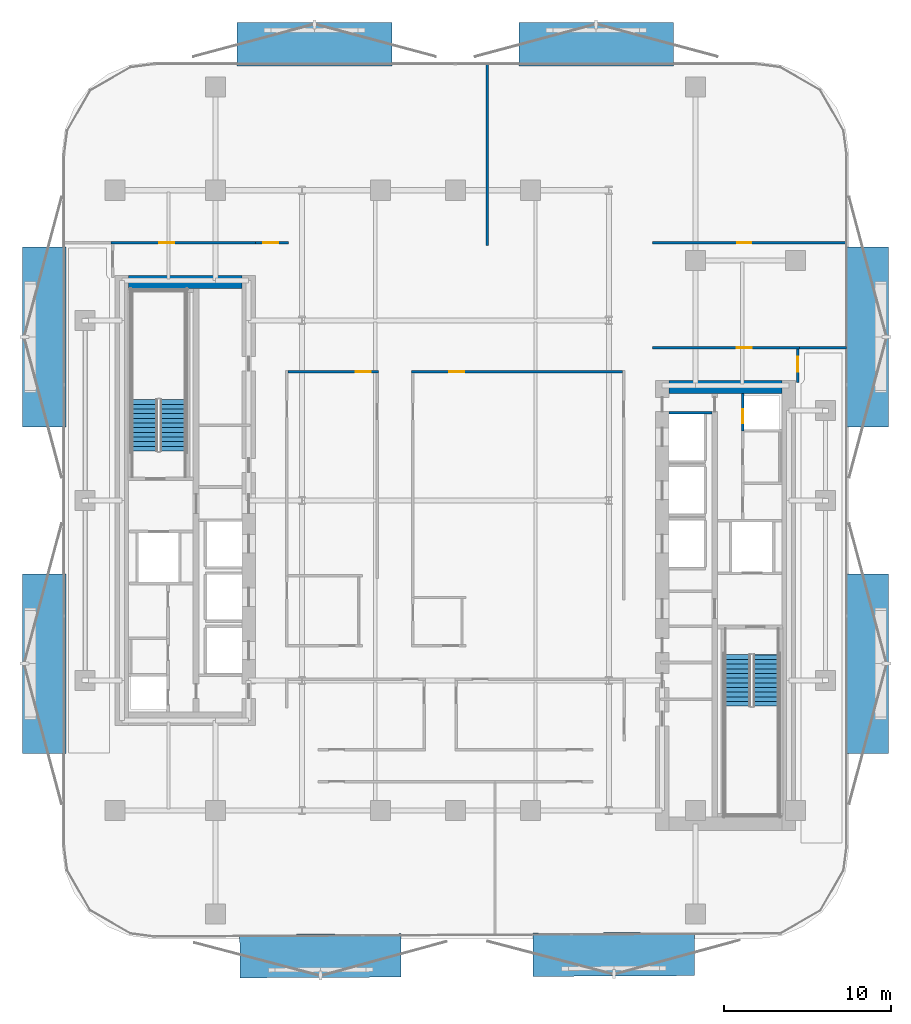
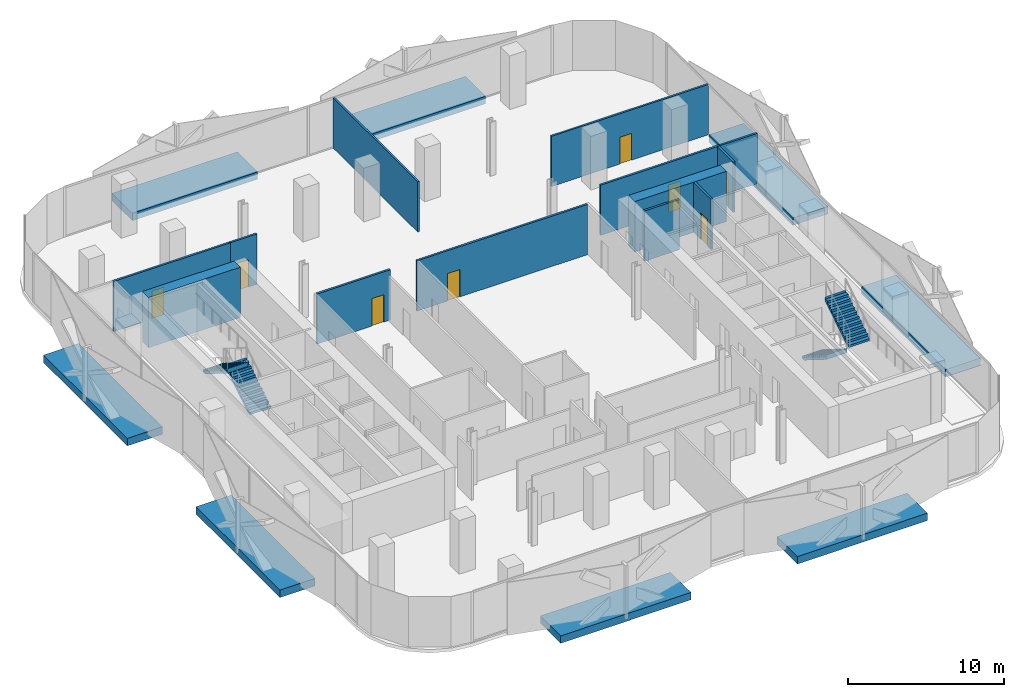
# One storey, part 6 of 16: 13 walls, 8 discrete accessories, 8 doors, 4 stair flights, 8 openings, 2 elements without a shape of their own.
"""IFC4 building model written with IfcOpenShell, lengths in metres."""

from ifc_helpers import new_model, si_unit, direction, frame, frame_2d, origin, origin_2d, place, context, subcontext, project, spatial, polyline, rectangle, outline, extrude, material, layer, layer_set, type_object, element, fill, aggregate, save


model = new_model("IFC4")

# Units and contexts
model_context = context("Model", 3, precision=1e-05, world=origin(), true_north=direction((0.0, 1.0)))
body_context = subcontext(model_context, "Body", "Model", "MODEL_VIEW")
ifc_project = project(units=[si_unit("LENGTHUNIT", "METRE"), si_unit("AREAUNIT", "SQUARE_METRE"), si_unit("VOLUMEUNIT", "CUBIC_METRE"), si_unit("PLANEANGLEUNIT", "RADIAN"), si_unit("MASSUNIT", "GRAM", prefix="KILO")], contexts=[model_context])

# Site, building, storey
site_placement = place(None, origin())
site = spatial("IfcSite", under=ifc_project, at=site_placement, CompositionType="ELEMENT")
building_placement = place(site_placement, origin())
building = spatial("IfcBuilding", under=site, at=building_placement, Name="Khairoan Windgate Tower", CompositionType="ELEMENT")
storey_placement = place(building_placement, frame((0.0, 0.0, 97.39990234375)))
storey = spatial("IfcBuildingStorey", under=building, at=storey_placement, Name="L22", CompositionType="ELEMENT", Elevation=97.39990234375)

# Walls
ifc_material_1 = material(Name="Concrete C40/50", Category="concrete")
ifc_layer_1 = layer(ifc_material_1, 0.159912109375, Name="Concrete C40/50")
ifc_layer_set_1 = layer_set([ifc_layer_1], Name="Concrete C40/50")
wall_type_1 = type_object("IfcWallType", Name="Core and Hoistway Enclosure Wall", PredefinedType="STANDARD", material=ifc_layer_set_1)
wall_1_placement = place(storey_placement, frame((12.800048828125, 5.25, 0.0), z_axis=(0.0, 0.0, 1.0), x_axis=(1.0, 0.0, 0.0)))
element("IfcWall", 1, at=wall_1_placement, inside=storey, type_object=wall_type_1, Name="L22 Core Shaft Wall SW-ESV-L22", PredefinedType="STANDARD", context=body_context, shape_type="SweptSolid", body=[
    extrude(rectangle(XDim=2.599853515625, YDim=0.159912109375, at=frame_2d((1.2998046875, 0.0))), origin(), (0.0, 0.0, 1.0), 3.940185546875),
])
ifc_material_2 = material(Name="Acoustic Fire-Rated Gypsum Partition", Category="gypsum")
ifc_layer_2 = layer(ifc_material_2, 0.139892578125, Name="Acoustic Fire-Rated Gypsum Partition")
ifc_layer_set_2 = layer_set([ifc_layer_2], Name="Acoustic Fire-Rated Gypsum Partition")
wall_type_2 = type_object("IfcWallType", Name="Inter-Tenancy Compartment Wall", PredefinedType="PARTITIONING", material=ifc_layer_set_2)
wall_2_placement = place(storey_placement, frame((20.639892578125, 9.159912109375, 0.0), z_axis=(0.0, 0.0, 1.0), x_axis=(1.0, 0.0, 0.0)))
element("IfcWall", 2, at=wall_2_placement, inside=storey, type_object=wall_type_2, Name="L22 Interior Partition 040", PredefinedType="PARTITIONING", context=body_context, shape_type="SweptSolid", body=[
    extrude(rectangle(XDim=2.815185546875, YDim=0.139892578125, at=frame_2d((1.40771484375, 0.0))), origin(), (0.0, 0.0, 1.0), 3.940185546875),
])

# Wall, opening, door
wall_3_placement = place(storey_placement, frame((11.81005859375, 15.4599609375, 0.0), z_axis=(0.0, 0.0, 1.0), x_axis=(1.0, 0.0, 0.0)))
wall_3 = element("IfcWall", 3, at=wall_3_placement, inside=storey, type_object=wall_type_2, Name="L22 Interior Partition 041", PredefinedType="PARTITIONING", context=body_context, shape_type="SweptSolid", body=[
    extrude(rectangle(XDim=11.64501953125, YDim=0.139892578125, at=frame_2d((5.822509765625, 0.0))), origin(), (0.0, 0.0, 1.0), 3.940185546875),
])
opening_1_placement = place(wall_3_placement, frame((5.09521484375, 0.0, 0.0)))
opening_1 = element("IfcOpeningElement", 4, at=opening_1_placement, cuts=wall_3, Name="Opening FD-SRV", PredefinedType="OPENING", context=body_context, shape_type="SweptSolid", body=[
    extrude(rectangle(XDim=0.85009765625, YDim=2.10009765625, at=frame_2d((0.425048828125, 1.050048828125))), frame((0.0, 0.079833984375, 0.0), z_axis=(0.0, -1.0, 0.0), x_axis=(1.0, 0.0, 0.0)), (0.0, 0.0, 1.0), 0.159912109375),
])
ifc_material_3 = material(Name="Steel S355", Category="steel")
door_type_1 = type_object("IfcDoorType", Name="Core Service and Riser Fire Door FD-SRV 850x2100", OperationType="NOTDEFINED", PredefinedType="DOOR", material=ifc_material_3)
door_1_placement = place(opening_1_placement, origin())
door_1 = element("IfcDoor", 5, at=door_1_placement, inside=storey, type_object=door_type_1, Name="L22 L22-41-L22-43 Door", OperationType="SINGLE_SWING_LEFT", OverallHeight=2.10009765625, OverallWidth=0.85009765625, PredefinedType="DOOR", context=body_context, shape_type="SweptSolid", body=[
    extrude(rectangle(XDim=0.85009765625, YDim=2.10009765625, at=frame_2d((0.425048828125, 1.050048828125))), frame((0.0, 0.02490234375, 0.0), z_axis=(0.0, -1.0, 0.0), x_axis=(1.0, 0.0, 0.0)), (0.0, 0.0, 1.0), 0.050048828125),
])
fill(opening_1, door_1)

# Wall
wall_4_placement = place(storey_placement, frame((1.904052734375, 15.280029296875, 0.0), z_axis=(0.0, 0.0, 1.0), x_axis=(0.0, 1.0, 0.0)))
element("IfcWall", 6, at=wall_4_placement, inside=storey, type_object=wall_type_2, Name="L22 Interior Partition 042", PredefinedType="PARTITIONING", context=body_context, shape_type="SweptSolid", body=[
    extrude(rectangle(XDim=10.875, YDim=0.139892578125, at=frame_2d((5.4375, 0.0))), origin(), (0.0, 0.0, 1.0), 3.940185546875),
])

# Wall, opening, door
ifc_material_4 = material(Name="Concrete C40/50", Category="concrete")
ifc_layer_3 = layer(ifc_material_4, 0.159912109375, Name="Concrete C40/50")
ifc_layer_set_3 = layer_set([ifc_layer_3], Name="Concrete C40/50")
wall_type_3 = type_object("IfcWallType", Name="Plant and Refuge Compartment Wall", PredefinedType="PARTITIONING", material=ifc_layer_set_3)
wall_5_placement = place(storey_placement, frame((17.22998046875, 4.169921875, 0.0), z_axis=(0.0, 0.0, 1.0), x_axis=(0.0, 1.0, 0.0)))
wall_5 = element("IfcWall", 7, at=wall_5_placement, inside=storey, type_object=wall_type_3, Name="L22 Interior Partition 007", PredefinedType="PARTITIONING", context=body_context, shape_type="SweptSolid", body=[
    extrude(rectangle(XDim=2.22998046875, YDim=0.159912109375, at=frame_2d((1.114990234375, 0.0))), origin(), (0.0, 0.0, 1.0), 3.940185546875),
])
opening_2_placement = place(wall_5_placement, frame((0.4599609375, 0.0, 0.0)))
opening_2 = element("IfcOpeningElement", 8, at=opening_2_placement, cuts=wall_5, Name="Opening FD-SRV", PredefinedType="OPENING", context=body_context, shape_type="SweptSolid", body=[
    extrude(rectangle(XDim=0.85009765625, YDim=2.10009765625, at=frame_2d((0.425048828125, 1.050048828125))), frame((0.0, 0.08984375, 0.0), z_axis=(0.0, -1.0, 0.0), x_axis=(1.0, 0.0, 0.0)), (0.0, 0.0, 1.0), 0.179931640625),
])
door_2_placement = place(opening_2_placement, origin())
door_2 = element("IfcDoor", 9, at=door_2_placement, inside=storey, type_object=door_type_1, Name="L22 L22-18-L22-19 Door", OperationType="SINGLE_SWING_LEFT", OverallHeight=2.10009765625, OverallWidth=0.85009765625, PredefinedType="DOOR", context=body_context, shape_type="SweptSolid", body=[
    extrude(rectangle(XDim=0.85009765625, YDim=2.10009765625, at=frame_2d((0.425048828125, 1.050048828125))), frame((0.0, 0.02490234375, 0.0), z_axis=(0.0, -1.0, 0.0), x_axis=(1.0, 0.0, 0.0)), (0.0, 0.0, 1.0), 0.050048828125),
])
fill(opening_2, door_2)

ifc_material_5 = material(Name="Acoustic Fire-Rated Gypsum Partition", Category="gypsum")
ifc_layer_4 = layer(ifc_material_5, 0.14990234375, Name="Acoustic Fire-Rated Gypsum Partition")
ifc_layer_set_4 = layer_set([ifc_layer_4], Name="Acoustic Fire-Rated Gypsum Partition")
wall_type_4 = type_object("IfcWallType", Name="Rated Corridor Partition Wall", PredefinedType="PARTITIONING", material=ifc_layer_set_4)
wall_6_placement = place(storey_placement, frame((-11.989990234375, 15.4599609375, 0.0), z_axis=(0.0, 0.0, 1.0), x_axis=(1.0, 0.0, 0.0)))
wall_6 = element("IfcWall", 10, at=wall_6_placement, inside=storey, type_object=wall_type_4, Name="L22 Interior Partition 014", PredefinedType="PARTITIONING", context=body_context, shape_type="SweptSolid", body=[
    extrude(rectangle(XDim=1.97998046875, YDim=0.14990234375, at=frame_2d((0.989990234375, 0.0))), origin(), (0.0, 0.0, 1.0), 3.940185546875),
])
opening_3_placement = place(wall_6_placement, frame((0.4599609375, 0.0, 0.0)))
opening_3 = element("IfcOpeningElement", 11, at=opening_3_placement, cuts=wall_6, Name="Opening FD-ENT", PredefinedType="OPENING", context=body_context, shape_type="SweptSolid", body=[
    extrude(rectangle(XDim=0.89990234375, YDim=2.14990234375, at=frame_2d((0.449951171875, 1.074951171875))), frame((0.0, 0.0849609375, 0.0), z_axis=(0.0, -1.0, 0.0), x_axis=(1.0, 0.0, 0.0)), (0.0, 0.0, 1.0), 0.169921875),
])
ifc_material_6 = material(Name="Timber Fire-Rated Core", Category="wood")
door_type_2 = type_object("IfcDoorType", Name="Unit and Office Fire Entrance Door FD-ENT 900x2150", OperationType="NOTDEFINED", PredefinedType="DOOR", material=ifc_material_6)
door_3_placement = place(opening_3_placement, origin())
door_3 = element("IfcDoor", 12, at=door_3_placement, inside=storey, type_object=door_type_2, Name="L22 L22-30-L22-42 Door", OperationType="SINGLE_SWING_RIGHT", OverallHeight=2.14990234375, OverallWidth=0.89990234375, PredefinedType="DOOR", context=body_context, shape_type="SweptSolid", body=[
    extrude(rectangle(XDim=0.89990234375, YDim=2.14990234375, at=frame_2d((0.449951171875, 1.074951171875))), frame((0.0, 0.02490234375, 0.0), z_axis=(0.0, -1.0, 0.0), x_axis=(1.0, 0.0, 0.0)), (0.0, 0.0, 1.0), 0.050048828125),
])
fill(opening_3, door_3)

wall_7_placement = place(storey_placement, frame((-2.6201171875, 7.719970703125, 0.0), z_axis=(0.0, 0.0, 1.0), x_axis=(1.0, 0.0, 0.0)))
wall_7 = element("IfcWall", 13, at=wall_7_placement, inside=storey, type_object=wall_type_4, Name="L22 Interior Partition 020", PredefinedType="PARTITIONING", context=body_context, shape_type="SweptSolid", body=[
    extrude(rectangle(XDim=12.64501953125, YDim=0.14990234375, at=frame_2d((6.322509765625, 0.0))), origin(), (0.0, 0.0, 1.0), 3.940185546875),
])
opening_4_placement = place(wall_7_placement, frame((2.26416015625, 0.0, 0.0)))
opening_4 = element("IfcOpeningElement", 14, at=opening_4_placement, cuts=wall_7, Name="Opening FD-ENT", PredefinedType="OPENING", context=body_context, shape_type="SweptSolid", body=[
    extrude(rectangle(XDim=0.89990234375, YDim=2.14990234375, at=frame_2d((0.449951171875, 1.074951171875))), frame((0.0, 0.0849609375, 0.0), z_axis=(0.0, -1.0, 0.0), x_axis=(1.0, 0.0, 0.0)), (0.0, 0.0, 1.0), 0.169921875),
])
door_4_placement = place(opening_4_placement, origin())
door_4 = element("IfcDoor", 15, at=door_4_placement, inside=storey, type_object=door_type_2, Name="L22 L22-32-L22-47 Door", OperationType="SINGLE_SWING_RIGHT", OverallHeight=2.14990234375, OverallWidth=0.89990234375, PredefinedType="DOOR", context=body_context, shape_type="SweptSolid", body=[
    extrude(rectangle(XDim=0.89990234375, YDim=2.14990234375, at=frame_2d((0.449951171875, 1.074951171875))), frame((0.0, 0.02490234375, 0.0), z_axis=(0.0, -1.0, 0.0), x_axis=(1.0, 0.0, 0.0)), (0.0, 0.0, 1.0), 0.050048828125),
])
fill(opening_4, door_4)

wall_8_placement = place(storey_placement, frame((-10.02490234375, 7.719970703125, 0.0), z_axis=(0.0, 0.0, 1.0), x_axis=(1.0, 0.0, 0.0)))
wall_8 = element("IfcWall", 16, at=wall_8_placement, inside=storey, type_object=wall_type_4, Name="L22 Interior Partition 021", PredefinedType="PARTITIONING", context=body_context, shape_type="SweptSolid", body=[
    extrude(rectangle(XDim=5.419921875, YDim=0.14990234375, at=frame_2d((2.7099609375, 0.0))), origin(), (0.0, 0.0, 1.0), 3.940185546875),
])
opening_5_placement = place(wall_8_placement, frame((4.06005859375, 0.0, 0.0)))
opening_5 = element("IfcOpeningElement", 17, at=opening_5_placement, cuts=wall_8, Name="Opening FD-ENT", PredefinedType="OPENING", context=body_context, shape_type="SweptSolid", body=[
    extrude(rectangle(XDim=0.89990234375, YDim=2.14990234375, at=frame_2d((0.449951171875, 1.074951171875))), frame((0.0, 0.0849609375, 0.0), z_axis=(0.0, -1.0, 0.0), x_axis=(1.0, 0.0, 0.0)), (0.0, 0.0, 1.0), 0.169921875),
])
door_5_placement = place(opening_5_placement, origin())
door_5 = element("IfcDoor", 18, at=door_5_placement, inside=storey, type_object=door_type_2, Name="L22 L22-32-L22-49 Door", OperationType="SINGLE_SWING_LEFT", OverallHeight=2.14990234375, OverallWidth=0.89990234375, PredefinedType="DOOR", context=body_context, shape_type="SweptSolid", body=[
    extrude(rectangle(XDim=0.89990234375, YDim=2.14990234375, at=frame_2d((0.449951171875, 1.074951171875))), frame((0.0, 0.02490234375, 0.0), z_axis=(0.0, -1.0, 0.0), x_axis=(1.0, 0.0, 0.0)), (0.0, 0.0, 1.0), 0.050048828125),
])
fill(opening_5, door_5)

wall_9_placement = place(storey_placement, frame((-20.639892578125, 15.4599609375, 0.0), z_axis=(0.0, 0.0, 1.0), x_axis=(1.0, 0.0, 0.0)))
wall_9 = element("IfcWall", 19, at=wall_9_placement, inside=storey, type_object=wall_type_4, Name="L22 Interior Partition 030", PredefinedType="PARTITIONING", context=body_context, shape_type="SweptSolid", body=[
    extrude(rectangle(XDim=8.64990234375, YDim=0.14990234375, at=frame_2d((4.324951171875, 0.0))), origin(), (0.0, 0.0, 1.0), 3.940185546875),
])
opening_6_placement = place(wall_9_placement, frame((2.87060546875, 0.0, 0.0)))
opening_6 = element("IfcOpeningElement", 20, at=opening_6_placement, cuts=wall_9, Name="Opening FD-ENT", PredefinedType="OPENING", context=body_context, shape_type="SweptSolid", body=[
    extrude(rectangle(XDim=0.89990234375, YDim=2.14990234375, at=frame_2d((0.449951171875, 1.074951171875))), frame((0.0, 0.0849609375, 0.0), z_axis=(0.0, -1.0, 0.0), x_axis=(1.0, 0.0, 0.0)), (0.0, 0.0, 1.0), 0.169921875),
])
door_6_placement = place(opening_6_placement, origin())
door_6 = element("IfcDoor", 21, at=door_6_placement, inside=storey, type_object=door_type_2, Name="L22 L22-35-L22-42 Door", OperationType="SINGLE_SWING_RIGHT", OverallHeight=2.14990234375, OverallWidth=0.89990234375, PredefinedType="DOOR", context=body_context, shape_type="SweptSolid", body=[
    extrude(rectangle(XDim=0.89990234375, YDim=2.14990234375, at=frame_2d((0.449951171875, 1.074951171875))), frame((0.0, 0.02490234375, 0.0), z_axis=(0.0, -1.0, 0.0), x_axis=(1.0, 0.0, 0.0)), (0.0, 0.0, 1.0), 0.050048828125),
])
fill(opening_6, door_6)

wall_10_placement = place(storey_placement, frame((20.5400390625, 7.06005859375, 0.0), z_axis=(0.0, 0.0, 1.0), x_axis=(0.0, 1.0, 0.0)))
wall_10 = element("IfcWall", 22, at=wall_10_placement, inside=storey, type_object=wall_type_4, Name="L22 Interior Partition 031", PredefinedType="PARTITIONING", context=body_context, shape_type="SweptSolid", body=[
    extrude(rectangle(XDim=2.02490234375, YDim=0.14990234375, at=frame_2d((1.012451171875, 0.0))), origin(), (0.0, 0.0, 1.0), 3.940185546875),
])
opening_7_placement = place(wall_10_placement, frame((0.6650390625, 0.0, 0.0)))
opening_7 = element("IfcOpeningElement", 23, at=opening_7_placement, cuts=wall_10, Name="Opening FD-ENT", PredefinedType="OPENING", context=body_context, shape_type="SweptSolid", body=[
    extrude(rectangle(XDim=0.89990234375, YDim=2.14990234375, at=frame_2d((0.449951171875, 1.074951171875))), frame((0.0, 0.0849609375, 0.0), z_axis=(0.0, -1.0, 0.0), x_axis=(1.0, 0.0, 0.0)), (0.0, 0.0, 1.0), 0.169921875),
])
door_7_placement = place(opening_7_placement, origin())
door_7 = element("IfcDoor", 24, at=door_7_placement, inside=storey, type_object=door_type_2, Name="L22 L22-36-L22-40 Door", OperationType="SINGLE_SWING_LEFT", OverallHeight=2.14990234375, OverallWidth=0.89990234375, PredefinedType="DOOR", context=body_context, shape_type="SweptSolid", body=[
    extrude(rectangle(XDim=0.89990234375, YDim=2.14990234375, at=frame_2d((0.449951171875, 1.074951171875))), frame((0.0, 0.02490234375, 0.0), z_axis=(0.0, -1.0, 0.0), x_axis=(1.0, 0.0, 0.0)), (0.0, 0.0, 1.0), 0.050048828125),
])
fill(opening_7, door_7)

wall_11_placement = place(storey_placement, frame((11.81005859375, 9.159912109375, 0.0), z_axis=(0.0, 0.0, 1.0), x_axis=(1.0, 0.0, 0.0)))
wall_11 = element("IfcWall", 25, at=wall_11_placement, inside=storey, type_object=wall_type_4, Name="L22 Interior Partition 032", PredefinedType="PARTITIONING", context=body_context, shape_type="SweptSolid", body=[
    extrude(rectangle(XDim=8.829833984375, YDim=0.14990234375, at=frame_2d((4.4150390625, 0.0))), origin(), (0.0, 0.0, 1.0), 3.940185546875),
])
opening_8_placement = place(wall_11_placement, frame((5.066650390625, 0.0, 0.0)))
opening_8 = element("IfcOpeningElement", 26, at=opening_8_placement, cuts=wall_11, Name="Opening FD-ENT", PredefinedType="OPENING", context=body_context, shape_type="SweptSolid", body=[
    extrude(rectangle(XDim=0.89990234375, YDim=2.14990234375, at=frame_2d((0.449951171875, 1.074951171875))), frame((0.0, 0.0849609375, 0.0), z_axis=(0.0, -1.0, 0.0), x_axis=(1.0, 0.0, 0.0)), (0.0, 0.0, 1.0), 0.169921875),
])
door_8_placement = place(opening_8_placement, origin())
door_8 = element("IfcDoor", 27, at=door_8_placement, inside=storey, type_object=door_type_2, Name="L22 L22-36-L22-41 Door", OperationType="SINGLE_SWING_RIGHT", OverallHeight=2.14990234375, OverallWidth=0.89990234375, PredefinedType="DOOR", context=body_context, shape_type="SweptSolid", body=[
    extrude(rectangle(XDim=0.89990234375, YDim=2.14990234375, at=frame_2d((0.449951171875, 1.074951171875))), frame((0.0, 0.02490234375, 0.0), z_axis=(0.0, -1.0, 0.0), x_axis=(1.0, 0.0, 0.0)), (0.0, 0.0, 1.0), 0.050048828125),
])
fill(opening_8, door_8)

# Walls
ifc_material_7 = material(Name="Concrete C70/85", Category="concrete")
ifc_layer_5 = layer(ifc_material_7, 0.800048828125, Name="Concrete C70/85")
ifc_layer_set_5 = layer_set([ifc_layer_5], Name="Concrete C70/85")
wall_type_5 = type_object("IfcWallType", Name="Shear Wall CW-E1 800mm", PredefinedType="SHEAR", material=ifc_layer_set_5)
wall_12_placement = place(storey_placement, frame((12.800048828125, 6.800048828125, 0.0), z_axis=(0.0, 0.0, 1.0), x_axis=(1.0, 0.0, 0.0)))
element("IfcWall", 28, at=wall_12_placement, inside=storey, type_object=wall_type_5, Name="E Core North Shear Wall L22", PredefinedType="SHEAR", context=body_context, shape_type="SweptSolid", body=[
    extrude(rectangle(XDim=6.800048828125, YDim=0.800048828125, at=frame_2d((3.39990234375, 0.0))), origin(), (0.0, 0.0, 1.0), 3.940185546875),
])
ifc_material_8 = material(Name="Concrete C70/85", Category="concrete")
ifc_layer_6 = layer(ifc_material_8, 0.800048828125, Name="Concrete C70/85")
ifc_layer_set_6 = layer_set([ifc_layer_6], Name="Concrete C70/85")
wall_type_6 = type_object("IfcWallType", Name="Shear Wall CW-W1 800mm", PredefinedType="SHEAR", material=ifc_layer_set_6)
wall_13_placement = place(storey_placement, frame((-19.60009765625, 13.10009765625, 0.0), z_axis=(0.0, 0.0, 1.0), x_axis=(1.0, 0.0, 0.0)))
element("IfcWall", 29, at=wall_13_placement, inside=storey, type_object=wall_type_6, Name="W Core North Shear Wall L22", PredefinedType="SHEAR", context=body_context, shape_type="SweptSolid", body=[
    extrude(rectangle(XDim=6.800048828125, YDim=0.800048828125, at=frame_2d((3.39990234375, 0.0))), origin(), (0.0, 0.0, 1.0), 3.940185546875),
])

# Stair, stair flights
ifc_material_9 = material(Name="Concrete C40/50", Category="concrete")
stair_type = type_object("IfcStairType", Name="Tower Core Dog-Leg Stair ST-T1 1560mm", PredefinedType="HALF_TURN_STAIR", material=ifc_material_9)
stair_1_placement = place(storey_placement, origin())
stair_1 = element("IfcStair", 30, at=stair_1_placement, inside=storey, type_object=stair_type, Name="L22 Stair ST1", PredefinedType="HALF_TURN_STAIR")
ifc_material_10 = material(Name="Concrete C40/50", Category="concrete")
ifc_layer_7 = layer(ifc_material_10, 0.14990234375, Name="Concrete C40/50")
ifc_layer_set_7 = layer_set([ifc_layer_7], Name="Concrete C40/50")
stair_flight_type = type_object("IfcStairFlightType", Name="Tower Core Stair Flight STF-1560", PredefinedType="STRAIGHT", material=ifc_layer_set_7)
stair_flight_1_placement = place(storey_placement, frame((16.929931640625, -9.260009765625, 0.0), z_axis=(0.0, 0.0, 1.0), x_axis=(0.0, -1.0, 0.0)))
stair_flight_1 = element("IfcStairFlight", 31, at=stair_flight_1_placement, type_object=stair_flight_type, Name="ST1 flight 1", NumberOfRisers=12, NumberOfTreads=11, PredefinedType="STRAIGHT", RiserHeight=0.175, TreadLength=0.28, context=body_context, shape_type="SweptSolid", body=[
    extrude(outline(polyline([(-0.00390625, 0.0), (-0.00390625, 0.175048828125), (0.0, 0.175048828125), (0.280029296875, 0.175048828125), (0.280029296875, 0.35009765625), (0.56005859375, 0.35009765625), (0.56005859375, 0.52490234375), (0.840087890625, 0.52490234375), (0.840087890625, 0.699951171875), (1.1201171875, 0.699951171875), (1.1201171875, 0.875), (1.39990234375, 0.875), (1.39990234375, 1.050048828125), (1.679931640625, 1.050048828125), (1.679931640625, 1.22509765625), (1.9599609375, 1.22509765625), (1.9599609375, 1.39990234375), (2.239990234375, 1.39990234375), (2.239990234375, 1.574951171875), (2.52001953125, 1.574951171875), (2.52001953125, 1.75), (2.800048828125, 1.75), (2.800048828125, 1.925048828125), (3.080078125, 1.925048828125), (3.080078125, 2.10009765625), (3.083984375, 2.10009765625), (3.083984375, 1.748291015625), (0.28271484375, 0.0), (-0.00390625, 0.0)])), frame((0.0, 0.780029296875, 0.0), z_axis=(0.0, -1.0, 0.0), x_axis=(1.0, 0.0, 0.0)), (0.0, 0.0, 1.0), 1.56005859375),
])
stair_flight_2_placement = place(storey_placement, frame((18.639892578125, -12.340087890625, 2.10009765625), z_axis=(0.0, 0.0, 1.0), x_axis=(0.0, 1.0, 0.0)))
stair_flight_2 = element("IfcStairFlight", 32, at=stair_flight_2_placement, type_object=stair_flight_type, Name="ST1 flight 2", NumberOfRisers=12, NumberOfTreads=11, PredefinedType="STRAIGHT", RiserHeight=0.175, TreadLength=0.28, context=body_context, shape_type="SweptSolid", body=[
    extrude(outline(polyline([(-0.00390625, 0.0), (-0.00390625, 0.175048828125), (0.0, 0.175048828125), (0.280029296875, 0.175048828125), (0.280029296875, 0.35009765625), (0.56005859375, 0.35009765625), (0.56005859375, 0.52490234375), (0.840087890625, 0.52490234375), (0.840087890625, 0.699951171875), (1.1201171875, 0.699951171875), (1.1201171875, 0.875), (1.39990234375, 0.875), (1.39990234375, 1.050048828125), (1.679931640625, 1.050048828125), (1.679931640625, 1.22509765625), (1.9599609375, 1.22509765625), (1.9599609375, 1.39990234375), (2.239990234375, 1.39990234375), (2.239990234375, 1.574951171875), (2.52001953125, 1.574951171875), (2.52001953125, 1.75), (2.800048828125, 1.75), (2.800048828125, 1.925048828125), (3.080078125, 1.925048828125), (3.080078125, 2.10009765625), (3.083984375, 2.10009765625), (3.083984375, 1.748291015625), (0.28271484375, 0.0), (-0.00390625, 0.0)])), frame((0.0, 0.780029296875, 0.0), z_axis=(0.0, -1.0, 0.0), x_axis=(1.0, 0.0, 0.0)), (0.0, 0.0, 1.0), 1.56005859375),
])
aggregate(stair_1, [stair_flight_1, stair_flight_2])

stair_2_placement = place(storey_placement, origin())
stair_2 = element("IfcStair", 33, at=stair_2_placement, inside=storey, type_object=stair_type, Name="L22 Stair ST2", PredefinedType="HALF_TURN_STAIR")
stair_flight_3_placement = place(storey_placement, frame((-16.929931640625, 2.9599609375, 0.0), z_axis=(0.0, 0.0, 1.0), x_axis=(0.0, 1.0, 0.0)))
stair_flight_3 = element("IfcStairFlight", 34, at=stair_flight_3_placement, type_object=stair_flight_type, Name="ST2 flight 1", NumberOfRisers=12, NumberOfTreads=11, PredefinedType="STRAIGHT", RiserHeight=0.175, TreadLength=0.28, context=body_context, shape_type="SweptSolid", body=[
    extrude(outline(polyline([(-0.00390625, 0.0), (-0.00390625, 0.175048828125), (0.0, 0.175048828125), (0.280029296875, 0.175048828125), (0.280029296875, 0.35009765625), (0.56005859375, 0.35009765625), (0.56005859375, 0.52490234375), (0.840087890625, 0.52490234375), (0.840087890625, 0.699951171875), (1.1201171875, 0.699951171875), (1.1201171875, 0.875), (1.39990234375, 0.875), (1.39990234375, 1.050048828125), (1.679931640625, 1.050048828125), (1.679931640625, 1.22509765625), (1.9599609375, 1.22509765625), (1.9599609375, 1.39990234375), (2.239990234375, 1.39990234375), (2.239990234375, 1.574951171875), (2.52001953125, 1.574951171875), (2.52001953125, 1.75), (2.800048828125, 1.75), (2.800048828125, 1.925048828125), (3.080078125, 1.925048828125), (3.080078125, 2.10009765625), (3.083984375, 2.10009765625), (3.083984375, 1.748291015625), (0.28271484375, 0.0), (-0.00390625, 0.0)])), frame((0.0, 0.780029296875, 0.0), z_axis=(0.0, -1.0, 0.0), x_axis=(1.0, 0.0, 0.0)), (0.0, 0.0, 1.0), 1.56005859375),
])
stair_flight_4_placement = place(storey_placement, frame((-18.639892578125, 6.0400390625, 2.10009765625), z_axis=(0.0, 0.0, 1.0), x_axis=(0.0, -1.0, 0.0)))
stair_flight_4 = element("IfcStairFlight", 35, at=stair_flight_4_placement, type_object=stair_flight_type, Name="ST2 flight 2", NumberOfRisers=12, NumberOfTreads=11, PredefinedType="STRAIGHT", RiserHeight=0.175, TreadLength=0.28, context=body_context, shape_type="SweptSolid", body=[
    extrude(outline(polyline([(-0.00390625, 0.0), (-0.00390625, 0.175048828125), (0.0, 0.175048828125), (0.280029296875, 0.175048828125), (0.280029296875, 0.35009765625), (0.56005859375, 0.35009765625), (0.56005859375, 0.52490234375), (0.840087890625, 0.52490234375), (0.840087890625, 0.699951171875), (1.1201171875, 0.699951171875), (1.1201171875, 0.875), (1.39990234375, 0.875), (1.39990234375, 1.050048828125), (1.679931640625, 1.050048828125), (1.679931640625, 1.22509765625), (1.9599609375, 1.22509765625), (1.9599609375, 1.39990234375), (2.239990234375, 1.39990234375), (2.239990234375, 1.574951171875), (2.52001953125, 1.574951171875), (2.52001953125, 1.75), (2.800048828125, 1.75), (2.800048828125, 1.925048828125), (3.080078125, 1.925048828125), (3.080078125, 2.10009765625), (3.083984375, 2.10009765625), (3.083984375, 1.748291015625), (0.28271484375, 0.0), (-0.00390625, 0.0)])), frame((0.0, 0.780029296875, 0.0), z_axis=(0.0, -1.0, 0.0), x_axis=(1.0, 0.0, 0.0)), (0.0, 0.0, 1.0), 1.56005859375),
])
aggregate(stair_2, [stair_flight_3, stair_flight_4])

# Discrete accessories
ifc_material_11 = material(Name="Steel S355", Category="steel")
discrete_accessory_type = type_object("IfcDiscreteAccessoryType", Name="Solar Screen Outrigger Slab Bracket SSB-1", PredefinedType="BRACKET", material=ifc_material_11)
for number, where, z_axis, x_axis, name in (
    (36, (9.498291015625, -27.22509765625, -0.419921875), (0.0, 0.0, 1.0), (-0.999988059021, -0.004886902454, 0.0), "L22 Solar Screen Outrigger Bracket 121"),
    (37, (-8.090576171875, -27.31103515625, -0.419921875), (0.0, 0.0, 1.0), (-0.999988059021, -0.004886902454, 0.0), "L22 Solar Screen Outrigger Bracket 122"),
):
    element("IfcDiscreteAccessory", number, at=place(storey_placement, frame(where, z_axis=z_axis, x_axis=x_axis)), inside=storey, type_object=discrete_accessory_type, Name=name, PredefinedType="BRACKET", context=body_context, shape_type="SweptSolid", body=[
        extrude(rectangle(XDim=9.674072265625, YDim=2.60009765625, at=origin_2d()), origin(), (0.0, 0.0, 1.0), 0.580078125),
    ])
for number, where, z_axis, x_axis, name in (
    (38, (-24.659912109375, -9.79541015625, -0.419921875), (0.0, 0.0, 1.0), (0.0, 1.0, 0.0), "L22 Solar Screen Outrigger Bracket 123"),
    (39, (-24.659912109375, 9.79541015625, -0.419921875), (0.0, 0.0, 1.0), (0.0, 1.0, 0.0), "L22 Solar Screen Outrigger Bracket 124"),
):
    element("IfcDiscreteAccessory", number, at=place(storey_placement, frame(where, z_axis=z_axis, x_axis=x_axis)), inside=storey, type_object=discrete_accessory_type, Name=name, PredefinedType="BRACKET", context=body_context, shape_type="SweptSolid", body=[
        extrude(rectangle(XDim=10.77490234375, YDim=2.60009765625, at=origin_2d()), origin(), (0.0, 0.0, 1.0), 0.580078125),
    ])
for number, where, z_axis, x_axis, name in (
    (40, (-8.4453125, 27.360107421875, -0.419921875), (0.0, 0.0, 1.0), (1.0, 0.0, 0.0), "L22 Solar Screen Outrigger Bracket 125"),
    (41, (8.4453125, 27.360107421875, -0.419921875), (0.0, 0.0, 1.0), (1.0, 0.0, 0.0), "L22 Solar Screen Outrigger Bracket 126"),
):
    element("IfcDiscreteAccessory", number, at=place(storey_placement, frame(where, z_axis=z_axis, x_axis=x_axis)), inside=storey, type_object=discrete_accessory_type, Name=name, PredefinedType="BRACKET", context=body_context, shape_type="SweptSolid", body=[
        extrude(rectangle(XDim=9.2900390625, YDim=2.60009765625, at=origin_2d()), origin(), (0.0, 0.0, 1.0), 0.580078125),
    ])
for number, where, z_axis, x_axis, name in (
    (42, (24.659912109375, 9.79541015625, -0.419921875), (0.0, 0.0, 1.0), (0.0, -1.0, 0.0), "L22 Solar Screen Outrigger Bracket 127"),
    (43, (24.659912109375, -9.79541015625, -0.419921875), (0.0, 0.0, 1.0), (0.0, -1.0, 0.0), "L22 Solar Screen Outrigger Bracket 128"),
):
    element("IfcDiscreteAccessory", number, at=place(storey_placement, frame(where, z_axis=z_axis, x_axis=x_axis)), inside=storey, type_object=discrete_accessory_type, Name=name, PredefinedType="BRACKET", context=body_context, shape_type="SweptSolid", body=[
        extrude(rectangle(XDim=10.77490234375, YDim=2.60009765625, at=origin_2d()), origin(), (0.0, 0.0, 1.0), 0.580078125),
    ])

save(model, "model.ifc")
